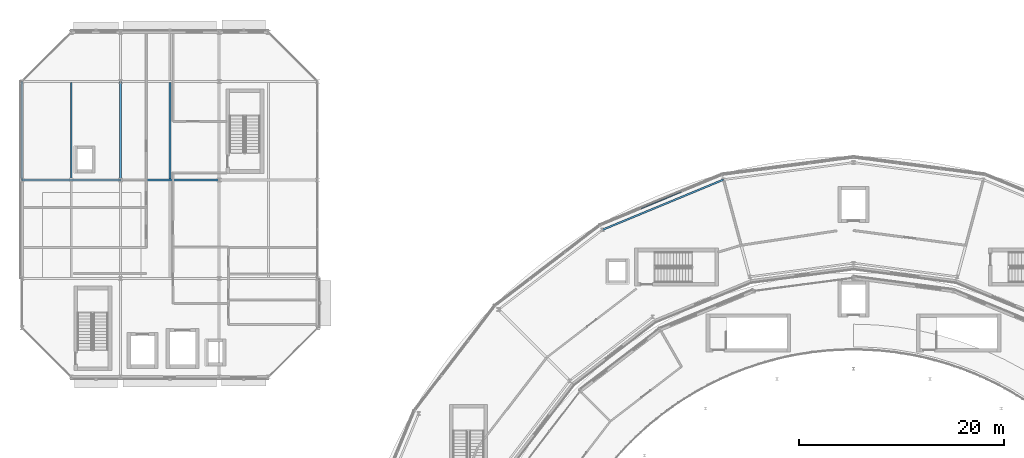
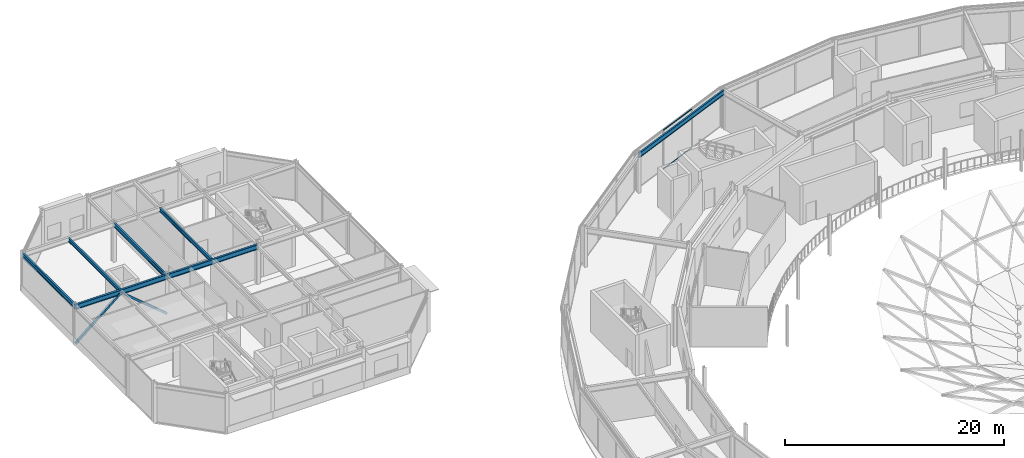
# One storey, part 42 of 116: 7 beams, 4 members, 1 element without a shape of its own.
"""IFC4 building model written with IfcOpenShell, lengths in metres."""

from ifc_helpers import new_model, si_unit, direction, frame, origin, origin_2d, place, context, subcontext, project, spatial, hollow_rectangle, i_section, extrude, material, material_profile, profile_set, type_object, element, aggregate, save


model = new_model("IFC4")

# Units and contexts
model_context = context("Model", 3, precision=1e-05, world=origin(), true_north=direction((0.0, 1.0)))
body_context = subcontext(model_context, "Body", "Model", "MODEL_VIEW")
ifc_project = project(units=[si_unit("LENGTHUNIT", "METRE"), si_unit("AREAUNIT", "SQUARE_METRE"), si_unit("VOLUMEUNIT", "CUBIC_METRE"), si_unit("PLANEANGLEUNIT", "RADIAN"), si_unit("MASSUNIT", "GRAM", prefix="KILO")], contexts=[model_context])

# Site, building, storey
site_placement = place(None, origin())
site = spatial("IfcSite", under=ifc_project, at=site_placement, CompositionType="ELEMENT")
building_placement = place(site_placement, origin())
building = spatial("IfcBuilding", under=site, at=building_placement, Name="Almandine Court Research Institute", CompositionType="ELEMENT")
storey_placement = place(building_placement, frame((0.0, 0.0, 14.35009765625)))
storey = spatial("IfcBuildingStorey", under=building, at=storey_placement, Name="L03", CompositionType="ELEMENT", Elevation=14.35009765625)

# Beams
ifc_material_1 = material(Name="Steel ASTM A992 Grade 50", Category="steel")
ifc_material_profile_1 = material_profile(ifc_material_1, i_section(OverallWidth=0.18994140625, OverallDepth=0.45703125, WebThickness=0.009033203125, FlangeThickness=0.014892578125, at=origin_2d()), Name="W460x74")
ifc_profile_set_1 = profile_set([ifc_material_profile_1], Name="Steel ASTM A992 Grade 50")
beam_type_1 = type_object("IfcBeamType", Name="Beam-B-01", PredefinedType="BEAM", material=ifc_profile_set_1)
beam_1_placement = place(storey_placement, frame((15.60009765625, 103.199951171875, 4.140869140625), z_axis=(0.0, 1.0, 0.0), x_axis=(-1.0, 0.0, 0.0)))
element("IfcBeam", 1, at=beam_1_placement, inside=storey, type_object=beam_type_1, Name="L03 V3 Primary Y Girder", PredefinedType="BEAM", context=body_context, shape_type="SweptSolid", body=[
    extrude(i_section(OverallWidth=0.18994140625, OverallDepth=0.45703125, WebThickness=0.009033203125, FlangeThickness=0.014892578125, at=origin_2d()), origin(), (0.0, 0.0, 1.0), 9.60009765625),
])
ifc_material_profile_2 = material_profile(ifc_material_1, i_section(OverallWidth=0.178955078125, OverallDepth=0.409912109375, WebThickness=0.009033203125, FlangeThickness=0.013916015625, at=origin_2d()), Name="W410x67")
ifc_profile_set_2 = profile_set([ifc_material_profile_2], Name="Steel ASTM A992 Grade 50")
beam_type_2 = type_object("IfcBeamType", Name="Beam-B-02", PredefinedType="JOIST", material=ifc_profile_set_2)
for number, where, z_axis, x_axis, name in (
    (2, (10.800048828125, 103.302978515625, 4.164794921875), (0.0, 1.0, 0.0), (-1.0, 0.0, 0.0), "L03 V3 Composite Secondary Beam"),
    (3, (20.39990234375, 103.302978515625, 4.164794921875), (0.0, 1.0, 0.0), (-1.0, 0.0, 0.0), "L03 V3 Composite Secondary Beam"),
):
    element("IfcBeam", number, at=place(storey_placement, frame(where, z_axis=z_axis, x_axis=x_axis)), inside=storey, type_object=beam_type_2, Name=name, PredefinedType="JOIST", context=body_context, shape_type="SweptSolid", body=[
        extrude(i_section(OverallWidth=0.178955078125, OverallDepth=0.409912109375, WebThickness=0.009033203125, FlangeThickness=0.013916015625, at=origin_2d()), origin(), (0.0, 0.0, 1.0), 9.39404296875),
    ])
ifc_material_profile_3 = material_profile(ifc_material_1, i_section(OverallWidth=0.2109375, OverallDepth=0.5390625, WebThickness=0.011962890625, FlangeThickness=0.01904296875, at=origin_2d()), Name="W530x109")
ifc_profile_set_3 = profile_set([ifc_material_profile_3], Name="Steel ASTM A992 Grade 50")
beam_type_3 = type_object("IfcBeamType", Name="Beam-G-04", PredefinedType="BEAM", material=ifc_profile_set_3)
beam_2_placement = place(storey_placement, frame((6.0, 103.199951171875, 4.099853515625), z_axis=(1.0, 0.0, 0.0), x_axis=(0.0, 1.0, 0.0)))
element("IfcBeam", 4, at=beam_2_placement, inside=storey, type_object=beam_type_3, Name="L03 V3 Primary X Girder", PredefinedType="BEAM", context=body_context, shape_type="SweptSolid", body=[
    extrude(i_section(OverallWidth=0.2109375, OverallDepth=0.5390625, WebThickness=0.011962890625, FlangeThickness=0.01904296875, at=origin_2d()), origin(), (0.0, 0.0, 1.0), 9.60009765625),
])
beam_3_placement = place(storey_placement, frame((15.60009765625, 103.199951171875, 4.099853515625), z_axis=(1.0, 0.0, 0.0), x_axis=(0.0, 1.0, 0.0)))
element("IfcBeam", 5, at=beam_3_placement, inside=storey, type_object=beam_type_3, Name="L03 V3 Primary X Girder", PredefinedType="BEAM", context=body_context, shape_type="SweptSolid", body=[
    extrude(i_section(OverallWidth=0.2109375, OverallDepth=0.5390625, WebThickness=0.011962890625, FlangeThickness=0.01904296875, at=origin_2d()), origin(), (0.0, 0.0, 1.0), 9.599853515625),
])
ifc_material_profile_4 = material_profile(ifc_material_1, i_section(OverallWidth=0.166015625, OverallDepth=0.534912109375, WebThickness=0.010009765625, FlangeThickness=0.01708984375, at=origin_2d()), Name="W530x85")
ifc_profile_set_4 = profile_set([ifc_material_profile_4], Name="Steel ASTM A992 Grade 50")
beam_type_4 = type_object("IfcBeamType", Name="Beam-G-05-E", PredefinedType="SPANDREL", material=ifc_profile_set_4)
beam_4_placement = place(storey_placement, frame((74.343994140625, 103.23388671875, 4.102783203125), z_axis=(-0.923891897665, -0.382653578879, 0.0), x_axis=(0.382653578879, -0.923891897665, 0.0)))
element("IfcBeam", 6, at=beam_4_placement, inside=storey, type_object=beam_type_4, Name="L03 Drum OUT Ring Beam 07", PredefinedType="SPANDREL", context=body_context, shape_type="SweptSolid", body=[
    extrude(i_section(OverallWidth=0.166015625, OverallDepth=0.534912109375, WebThickness=0.010009765625, FlangeThickness=0.01708984375, at=origin_2d()), origin(), (0.0, 0.0, 1.0), 12.765625),
])
ifc_material_profile_5 = material_profile(ifc_material_1, i_section(OverallWidth=0.193115234375, OverallDepth=0.466064453125, WebThickness=0.010986328125, FlangeThickness=0.01904296875, at=origin_2d()), Name="W460x97")
ifc_profile_set_5 = profile_set([ifc_material_profile_5], Name="Steel ASTM A992 Grade 50")
beam_type_5 = type_object("IfcBeamType", Name="Beam-G-06-E", PredefinedType="SPANDREL", material=ifc_profile_set_5)
beam_5_placement = place(storey_placement, frame((6.0, 103.199951171875, 4.136962890625), z_axis=(0.0, 1.0, 0.0), x_axis=(-1.0, 0.0, 0.0)))
element("IfcBeam", 7, at=beam_5_placement, inside=storey, type_object=beam_type_5, Name="L03 V3 Primary Y Girder", PredefinedType="SPANDREL", context=body_context, shape_type="SweptSolid", body=[
    extrude(i_section(OverallWidth=0.193115234375, OverallDepth=0.466064453125, WebThickness=0.010986328125, FlangeThickness=0.01904296875, at=origin_2d()), origin(), (0.0, 0.0, 1.0), 9.60009765625),
])

# Curtain wall, members
ifc_material_2 = material(Name="Unitised Curtain Wall Framing and Solar Glazing", Category="glass")
curtain_wall_type = type_object("IfcCurtainWallType", Name="CW-CWG-20", PredefinedType="USERDEFINED", material=ifc_material_2)
curtain_wall_placement = place(storey_placement, origin())
curtain_wall = element("IfcCurtainWall", 8, at=curtain_wall_placement, inside=storey, type_object=curtain_wall_type, Name="L03 Stacked-Ring Drum Outer Unitised Glazing 07", ObjectType="UNITISED GLAZING", PredefinedType="USERDEFINED")
ifc_material_3 = material(Name="Anodised Aluminium AW-6063-T6", Category="aluminium")
ifc_material_profile_6 = material_profile(ifc_material_3, hollow_rectangle(XDim=0.06005859375, YDim=0.110107421875, WallThickness=0.00390625, at=origin_2d()), Name="ALU RHS 60x110x4")
ifc_profile_set_6 = profile_set([ifc_material_profile_6], Name="Anodised Aluminium AW-6063-T6")
member_type_1 = type_object("IfcMemberType", Name="CWTrn-60x110", PredefinedType="NOTDEFINED", material=ifc_profile_set_6)
member_1_placement = place(storey_placement, frame((66.316650390625, 100.403076171875, 0.02978515625), z_axis=(0.92387693948, 0.382689692437, 0.0), x_axis=(-0.382689692437, 0.92387693948, 0.0)))
member_1 = element("IfcMember", 9, at=member_1_placement, type_object=member_type_1, Name="CWG-20 transom 2.1", ObjectType="TRANSOM", PredefinedType="USERDEFINED", context=body_context, shape_type="SweptSolid", body=[
    extrude(hollow_rectangle(XDim=0.06005859375, YDim=0.110107421875, WallThickness=0.00390625, at=origin_2d()), origin(), (0.0, 0.0, 1.0), 4.23291015625),
])
member_2_placement = place(storey_placement, frame((66.316650390625, 100.403076171875, 4.33984375), z_axis=(0.92387693948, 0.382689692437, 0.0), x_axis=(-0.382689692437, 0.92387693948, 0.0)))
member_2 = element("IfcMember", 10, at=member_2_placement, type_object=member_type_1, Name="CWG-20 transom 2.2", ObjectType="TRANSOM", PredefinedType="USERDEFINED", context=body_context, shape_type="SweptSolid", body=[
    extrude(hollow_rectangle(XDim=0.06005859375, YDim=0.110107421875, WallThickness=0.00390625, at=origin_2d()), origin(), (0.0, 0.0, 1.0), 4.23291015625),
])
aggregate(curtain_wall, [member_1, member_2])

# Members
ifc_material_4 = material(Name="Steel ASTM A500 Grade C", Category="steel")
ifc_material_profile_7 = material_profile(ifc_material_4, hollow_rectangle(XDim=0.219970703125, YDim=0.219970703125, WallThickness=0.010009765625, at=origin_2d()), Name="HSS 220x220x10")
ifc_profile_set_7 = profile_set([ifc_material_profile_7], Name="Steel ASTM A500 Grade C")
member_type_2 = type_object("IfcMemberType", Name="Mem-BF-BR1", PredefinedType="BRACE", material=ifc_profile_set_7)
for number, where, z_axis, x_axis, name in (
    (11, (6.0, 103.199951171875, 0.02001953125), (0.765882103726, 0.0, 0.642981028641), (0.0, 1.0, 0.0), "L03 Seismic Chevron Brace V3-BF1 Left"),
    (12, (15.60009765625, 103.199951171875, 0.02001953125), (-0.765882103726, 0.0, 0.642981028641), (0.0, -1.0, 0.0), "L03 Seismic Chevron Brace V3-BF1 Right"),
):
    element("IfcMember", number, at=place(storey_placement, frame(where, z_axis=z_axis, x_axis=x_axis)), inside=storey, type_object=member_type_2, Name=name, PredefinedType="BRACE", context=body_context, shape_type="SweptSolid", body=[
        extrude(hollow_rectangle(XDim=0.219970703125, YDim=0.219970703125, WallThickness=0.010009765625, at=origin_2d()), origin(), (0.0, 0.0, 1.0), 6.267333984375),
    ])

save(model, "model.ifc")
